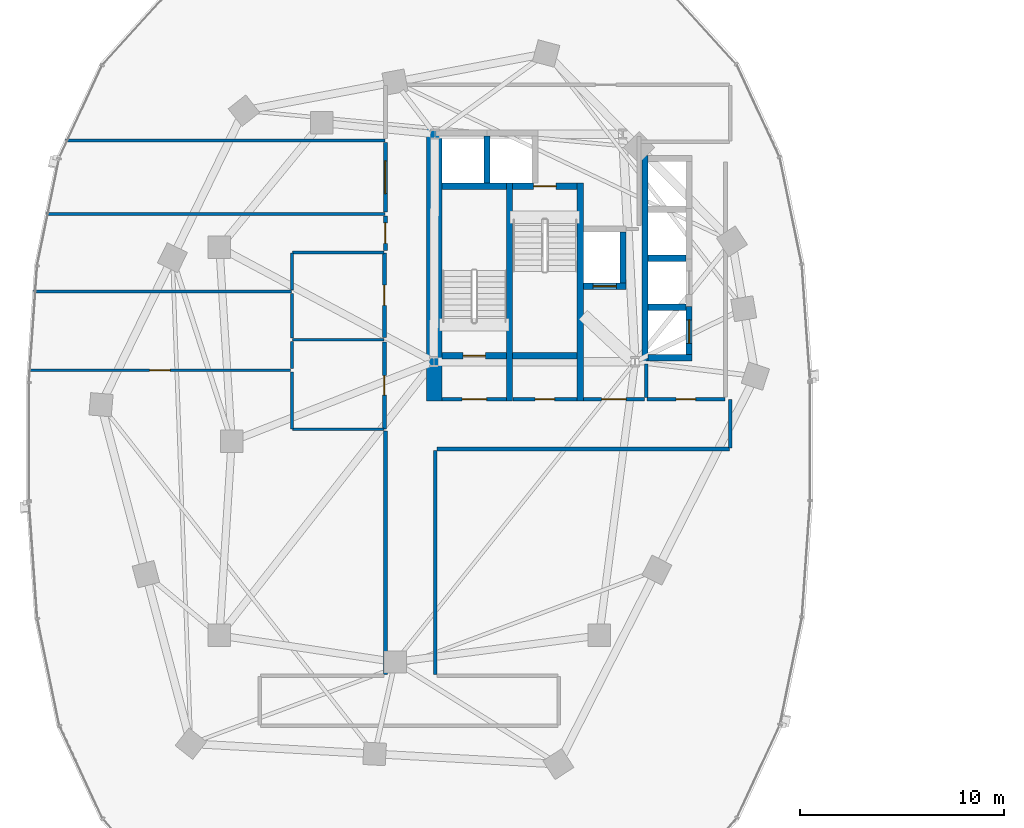
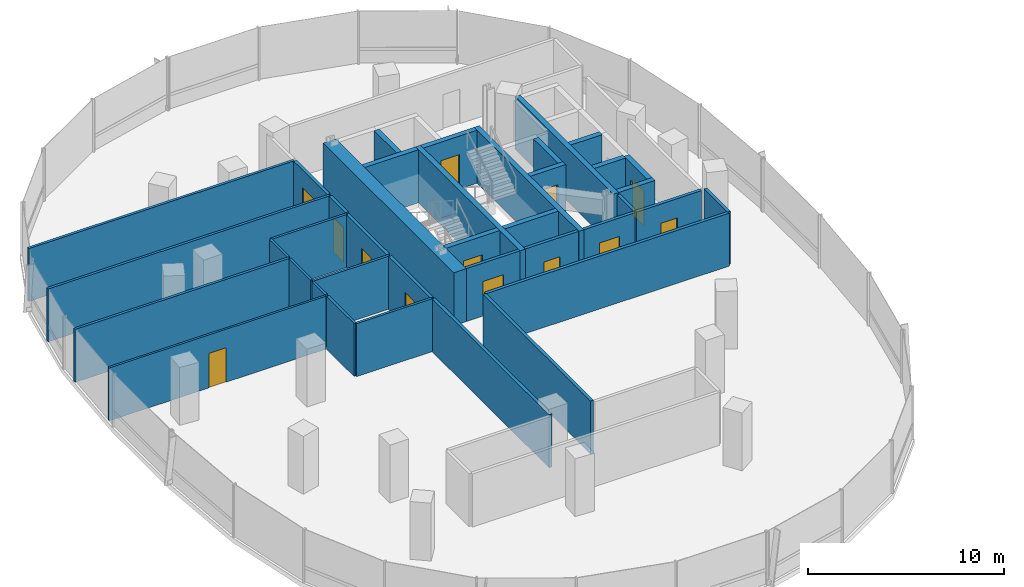
# One storey, part 11 of 21: 39 walls, 13 doors, 13 openings.
"""IFC4 building model written with IfcOpenShell, lengths in metres."""

import ifcopenshell
import ifcopenshell.guid

model = None  # the IFC model being written
_history = None  # IfcOwnerHistory: only IFC2X3 demands one
_inside = {}  # id of a spatial element -> (the spatial element, [elements in it])
_under = {}  # id of a project, library or spatial element -> (it, [spatial elements below it])
_declared = {}  # id of a project -> (the project, [libraries it declares])
_typed = {}  # id of a type object -> (the type object, [elements of that type])
_made_of = {}  # id of a material, layer set ... -> (it, [elements and type objects made of it])


def new_model(schema):
    """Start an empty IFC model of exactly this schema.

    Asked for "IFC4X3", IfcOpenShell would pick the latest addendum, in which some entities
    have other attributes; the version numbers below select the first issue.
    IFC2X3 requires an IfcOwnerHistory on every rooted entity: one is made here for all.
    """
    global model, _history
    if schema == "IFC4X3":
        model = ifcopenshell.file(schema_version=(4, 3, 0, 0))
    else:
        model = ifcopenshell.file(schema=schema)
    _inside.clear()
    _under.clear()
    _declared.clear()
    _typed.clear()
    _made_of.clear()
    _history = None
    if model.schema == "IFC2X3":
        org = make("IfcOrganization", Name="unknown")
        user = make(
            "IfcPersonAndOrganization",
            ThePerson=make("IfcPerson", FamilyName="unknown"),
            TheOrganization=org,
        )
        app = make(
            "IfcApplication",
            ApplicationDeveloper=org,
            Version="unknown",
            ApplicationFullName="unknown",
            ApplicationIdentifier="unknown",
        )
        _history = make(
            "IfcOwnerHistory",
            OwningUser=user,
            OwningApplication=app,
            ChangeAction="ADDED",
            CreationDate=0,
        )
    return model


def make(cls, **values):
    """One entity of the class cls with the attributes given. An attribute that is None is left unset."""
    return model.create_entity(
        cls, **{name: value for name, value in values.items() if value is not None}
    )


def rooted(cls, **values):
    """An entity with a GlobalId (a new one), such as an element, a storey or a relation."""
    return make(cls, GlobalId=ifcopenshell.guid.new(), OwnerHistory=_history, **values)


def si_unit(unit_type, name, prefix=None):
    """IfcSIUnit, for example si_unit("LENGTHUNIT", "METRE", prefix="MILLI")."""
    return make("IfcSIUnit", UnitType=unit_type, Prefix=prefix, Name=name)


def assignment(units):
    """IfcUnitAssignment: the units of a project."""
    return None if units is None else make("IfcUnitAssignment", Units=units)


def point(xyz):
    """IfcCartesianPoint."""
    return None if xyz is None else make("IfcCartesianPoint", Coordinates=xyz)


def direction(xyz):
    """IfcDirection."""
    return None if xyz is None else make("IfcDirection", DirectionRatios=xyz)


def frame(location, z_axis=None, x_axis=None):
    """IfcAxis2Placement3D, a coordinate frame: its origin and axes. An axis left out is left unset."""
    return make(
        "IfcAxis2Placement3D",
        Location=point(location),
        Axis=direction(z_axis),
        RefDirection=direction(x_axis),
    )


def frame_2d(location, x_axis=None):
    """IfcAxis2Placement2D, a coordinate frame in the plane: its origin and x axis."""
    return make(
        "IfcAxis2Placement2D", Location=point(location), RefDirection=direction(x_axis)
    )


def origin():
    """The frame at (0, 0, 0) with its axes left unset."""
    return frame((0.0, 0.0, 0.0))


def place(relative_to, where):
    """IfcLocalPlacement: puts the frame where relative to a parent placement (None: the world)."""
    return make(
        "IfcLocalPlacement", PlacementRelTo=relative_to, RelativePlacement=where
    )


def context(
    kind, dimensions, precision=None, world=None, true_north=None, identifier=None
):
    """IfcGeometricRepresentationContext, for example the 3D "Model" context."""
    return make(
        "IfcGeometricRepresentationContext",
        ContextIdentifier=identifier,
        ContextType=kind,
        CoordinateSpaceDimension=dimensions,
        Precision=precision,
        WorldCoordinateSystem=world,
        TrueNorth=true_north,
    )


def subcontext(parent, identifier, kind, view, scale=None):
    """IfcGeometricRepresentationSubContext, for example "Body" below "Model"."""
    return make(
        "IfcGeometricRepresentationSubContext",
        ContextIdentifier=identifier,
        ContextType=kind,
        ParentContext=parent,
        TargetScale=scale,
        TargetView=view,
    )


def project(units=None, contexts=None):
    """IfcProject with its units and contexts."""
    return rooted(
        "IfcProject",
        Name="project",
        RepresentationContexts=contexts,
        UnitsInContext=assignment(units),
    )


def spatial(cls, under=None, at=None, **own):
    """A site, building, storey or space (cls), placed at a placement, below another one or the project."""
    s = rooted(cls, ObjectPlacement=at, **own)
    if under is not None:
        _under.setdefault(under.id(), (under, []))[1].append(s)
    return s


def profile(cls, at=None, kind="AREA", **sizes):
    """A parametric profile (cls). Its sizes go by their IFC names, for example OverallWidth=200.0."""
    return make(cls, ProfileType=kind, Position=at, **sizes)


def rectangle(**sizes):
    """IfcRectangleProfileDef."""
    return profile("IfcRectangleProfileDef", **sizes)


def extrude(swept, where, along, depth):
    """IfcExtrudedAreaSolid: the profile swept, set in the frame where, extruded along a direction by depth."""
    return make(
        "IfcExtrudedAreaSolid",
        SweptArea=swept,
        Position=where,
        ExtrudedDirection=direction(along),
        Depth=depth,
    )


def shape(context_of_items, identifier, shape_type, items):
    """IfcShapeRepresentation: the items that make up one representation, for example the "Body"."""
    return make(
        "IfcShapeRepresentation",
        ContextOfItems=context_of_items,
        RepresentationIdentifier=identifier,
        RepresentationType=shape_type,
        Items=items,
    )


def material(Name=None, Category=None):
    """IfcMaterial."""
    return make("IfcMaterial", Name=Name, Category=Category)


def layer(
    of_material, thickness, ventilated=None, Name=None, Category=None, Priority=None
):
    """IfcMaterialLayer: one layer of a wall or slab, of a material (None: an air gap)."""
    return make(
        "IfcMaterialLayer",
        Material=of_material,
        LayerThickness=thickness,
        IsVentilated=ventilated,
        Name=Name,
        Category=Category,
        Priority=Priority,
    )


def layer_set(layers, Name=None):
    """IfcMaterialLayerSet."""
    return make("IfcMaterialLayerSet", MaterialLayers=layers, LayerSetName=Name)


def made_of(thing, what):
    """Note that an element or type object is made of a material, layer set ...; save() writes the relation."""
    if what is not None:
        _made_of.setdefault(what.id(), (what, []))[1].append(thing)
    return thing


def type_object(cls, material=None, **own):
    """A type object (cls), such as IfcWallType, which elements share."""
    return made_of(rooted(cls, **own), material)


def element(
    cls,
    number,
    at=None,
    inside=None,
    cuts=None,
    type_object=None,
    material=None,
    context=None,
    identifier="Body",
    shape_type=None,
    held_by="IfcProductDefinitionShape",
    body=None,
    shapes=None,
    **own,
):
    """One element of the class cls, such as IfcWall. Its Tag is "e" and its number.

    at: its placement. inside: the storey or other place that contains it. cuts: it is an
    opening in that element (IfcRelVoidsElement). A single representation is given by context,
    identifier, shape_type and body (its items); several are given by shapes. held_by: the class
    of the entity that holds the representations. save() writes the other relations.
    """
    e = rooted(cls, Tag="e%d" % number, ObjectPlacement=at, **own)
    if body is not None:
        shapes = [shape(context, identifier, shape_type, body)]
    if shapes is not None:
        e.Representation = make(held_by, Representations=shapes)
    if inside is not None:
        _inside.setdefault(inside.id(), (inside, []))[1].append(e)
    if cuts is not None:
        rooted(
            "IfcRelVoidsElement", RelatingBuildingElement=cuts, RelatedOpeningElement=e
        )
    if type_object is not None:
        _typed.setdefault(type_object.id(), (type_object, []))[1].append(e)
    return made_of(e, material)


def fill(opening, filler):
    """IfcRelFillsElement: the door or window that sits in an opening."""
    return rooted(
        "IfcRelFillsElement",
        RelatingOpeningElement=opening,
        RelatedBuildingElement=filler,
    )


def aggregate(whole, parts):
    """IfcRelAggregates: a whole, such as a stair, and the parts it consists of."""
    return rooted("IfcRelAggregates", RelatingObject=whole, RelatedObjects=parts)


def save(model, path):
    """Write the relations noted so far, then the file.

    IfcRelAggregates (storeys below a building ...), IfcRelContainedInSpatialStructure (elements
    in a storey), IfcRelDefinesByType, IfcRelAssociatesMaterial and IfcRelDeclares: one each for
    every whole, place, type object, material and project.
    """
    for whole, parts in _under.values():
        aggregate(whole, parts)
    for where, things in _inside.values():
        rooted(
            "IfcRelContainedInSpatialStructure",
            RelatedElements=things,
            RelatingStructure=where,
        )
    for kind, things in _typed.values():
        rooted("IfcRelDefinesByType", RelatedObjects=things, RelatingType=kind)
    for what, things in _made_of.values():
        rooted("IfcRelAssociatesMaterial", RelatedObjects=things, RelatingMaterial=what)
    for by, libraries in _declared.values():
        rooted("IfcRelDeclares", RelatingContext=by, RelatedDefinitions=libraries)
    model.write(path)


model = new_model("IFC4")

# Units and contexts
model_context = context("Model", 3, precision=1e-05, world=origin(), true_north=direction((0.0, 1.0)))
body_context = subcontext(model_context, "Body", "Model", "MODEL_VIEW")
ifc_project = project(units=[si_unit("LENGTHUNIT", "METRE"), si_unit("AREAUNIT", "SQUARE_METRE"), si_unit("VOLUMEUNIT", "CUBIC_METRE"), si_unit("PLANEANGLEUNIT", "RADIAN"), si_unit("MASSUNIT", "GRAM", prefix="KILO"), si_unit("THERMODYNAMICTEMPERATUREUNIT", "KELVIN"), si_unit("POWERUNIT", "WATT")], contexts=[model_context])

# Site, building, storey
site_placement = place(None, origin())
site = spatial("IfcSite", under=ifc_project, at=site_placement, CompositionType="ELEMENT")
building_placement = place(site_placement, origin())
building = spatial("IfcBuilding", under=site, at=building_placement, Name="Cundina Bronze Exchange", CompositionType="ELEMENT")
storey_placement = place(building_placement, frame((0.0, 0.0, 89.0)))
storey = spatial("IfcBuildingStorey", under=building, at=storey_placement, Name="L22", CompositionType="ELEMENT", Elevation=89.0)

# Wall
ifc_material_1 = material(Name="Gypsum Fireboard Partition EI120")
ifc_layer_1 = layer(ifc_material_1, 0.179931640625, Name="Gypsum Fireboard Partition EI120")
ifc_layer_set_1 = layer_set([ifc_layer_1], Name="Gypsum Fireboard Partition EI120")
wall_type_1 = type_object("IfcWallType", Name="WL-COR-180", PredefinedType="PARTITIONING", material=ifc_layer_set_1)
wall_1_placement = place(storey_placement, frame((-20.889892578125, 2.14990234375, 0.0), z_axis=(0.0, 0.0, 1.0), x_axis=(0.0, 1.0, 0.0)))
element("IfcWall", 1, at=wall_1_placement, inside=storey, type_object=wall_type_1, Name="L22 W Firefighting Lobby Side Wall", PredefinedType="PARTITIONING", context=body_context, shape_type="SweptSolid", body=[
    extrude(rectangle(XDim=1.650146484375, YDim=0.179931640625, at=frame_2d((0.8251953125, 0.0))), origin(), (0.0, 0.0, 1.0), 3.300048828125),
])

# Wall, opening, door
wall_2_placement = place(storey_placement, frame((-23.97998046875, 2.06005859375, 0.0), z_axis=(0.0, 0.0, 1.0), x_axis=(1.0, 0.0, 0.0)))
wall_2 = element("IfcWall", 2, at=wall_2_placement, inside=storey, type_object=wall_type_1, Name="L22 W Firefighting Lobby Exit Wall", PredefinedType="PARTITIONING", context=body_context, shape_type="SweptSolid", body=[
    extrude(rectangle(XDim=3.0, YDim=0.179931640625, at=frame_2d((1.5, 0.0))), origin(), (0.0, 0.0, 1.0), 3.300048828125),
])
opening_1_placement = place(wall_2_placement, frame((0.89990234375, 0.0, 0.0)))
opening_1 = element("IfcOpeningElement", 3, at=opening_1_placement, cuts=wall_2, Name="Opening DF-01", PredefinedType="OPENING", context=body_context, shape_type="SweptSolid", body=[
    extrude(rectangle(XDim=1.199951171875, YDim=2.14990234375, at=frame_2d((0.60009765625, 1.074951171875))), frame((0.0, 0.099853515625, 0.0), z_axis=(0.0, -1.0, 0.0), x_axis=(1.0, 0.0, 0.0)), (0.0, 0.0, 1.0), 0.199951171875),
])
ifc_material_2 = material(Name="Steel ASTM A36 Painted", Category="steel")
door_type_1 = type_object("IfcDoorType", Name="DR-FFL-1200", OperationType="NOTDEFINED", PredefinedType="DOOR", material=ifc_material_2)
door_1_placement = place(opening_1_placement, origin())
door_1 = element("IfcDoor", 4, at=door_1_placement, inside=storey, type_object=door_type_1, Name="L22 W Firefighting Lobby Door", OperationType="SINGLE_SWING_RIGHT", OverallHeight=2.14990234375, OverallWidth=1.199951171875, PredefinedType="DOOR", context=body_context, shape_type="SweptSolid", body=[
    extrude(rectangle(XDim=1.199951171875, YDim=2.14990234375, at=frame_2d((0.60009765625, 1.074951171875))), frame((0.0, 0.02490234375, 0.0), z_axis=(0.0, -1.0, 0.0), x_axis=(1.0, 0.0, 0.0)), (0.0, 0.0, 1.0), 0.050048828125),
])
fill(opening_1, door_1)

wall_3_placement = place(storey_placement, frame((-30.89990234375, 2.06005859375, 0.0), z_axis=(0.0, 0.0, 1.0), x_axis=(1.0, 0.0, 0.0)))
wall_3 = element("IfcWall", 5, at=wall_3_placement, inside=storey, type_object=wall_type_1, Name="L22 W Stair Vestibule Exit Wall", PredefinedType="PARTITIONING", context=body_context, shape_type="SweptSolid", body=[
    extrude(rectangle(XDim=3.159912109375, YDim=0.179931640625, at=frame_2d((1.580078125, 0.0))), origin(), (0.0, 0.0, 1.0), 3.300048828125),
])
opening_2_placement = place(wall_3_placement, frame((0.97998046875, 0.0, 0.0)))
opening_2 = element("IfcOpeningElement", 6, at=opening_2_placement, cuts=wall_3, Name="Opening DF-01", PredefinedType="OPENING", context=body_context, shape_type="SweptSolid", body=[
    extrude(rectangle(XDim=1.199951171875, YDim=2.14990234375, at=frame_2d((0.60009765625, 1.074951171875))), frame((0.0, 0.099853515625, 0.0), z_axis=(0.0, -1.0, 0.0), x_axis=(1.0, 0.0, 0.0)), (0.0, 0.0, 1.0), 0.199951171875),
])
door_2_placement = place(opening_2_placement, origin())
door_2 = element("IfcDoor", 7, at=door_2_placement, inside=storey, type_object=door_type_1, Name="L22 W Stair Vestibule Door", OperationType="SINGLE_SWING_LEFT", OverallHeight=2.14990234375, OverallWidth=1.199951171875, PredefinedType="DOOR", context=body_context, shape_type="SweptSolid", body=[
    extrude(rectangle(XDim=1.199951171875, YDim=2.14990234375, at=frame_2d((0.60009765625, 1.074951171875))), frame((0.0, 0.02490234375, 0.0), z_axis=(0.0, -1.0, 0.0), x_axis=(1.0, 0.0, 0.0)), (0.0, 0.0, 1.0), 0.050048828125),
])
fill(opening_2, door_2)

wall_4_placement = place(storey_placement, frame((-20.8701171875, 2.070068359375, 0.0), z_axis=(0.0, 0.0, 1.0), x_axis=(1.0, 0.0, 0.0)))
wall_4 = element("IfcWall", 8, at=wall_4_placement, inside=storey, type_object=wall_type_1, Name="L22 Interior Partition 002", PredefinedType="PARTITIONING", context=body_context, shape_type="SweptSolid", body=[
    extrude(rectangle(XDim=3.830078125, YDim=0.179931640625, at=frame_2d((1.9150390625, 0.0))), origin(), (0.0, 0.0, 1.0), 3.300048828125),
])
opening_3_placement = place(wall_4_placement, frame((1.43994140625, 0.0, 0.0)))
opening_3 = element("IfcOpeningElement", 9, at=opening_3_placement, cuts=wall_4, Name="Opening DW-01", PredefinedType="OPENING", context=body_context, shape_type="SweptSolid", body=[
    extrude(rectangle(XDim=0.949951171875, YDim=2.10009765625, at=frame_2d((0.47509765625, 1.050048828125))), frame((0.0, 0.099853515625, 0.0), z_axis=(0.0, -1.0, 0.0), x_axis=(1.0, 0.0, 0.0)), (0.0, 0.0, 1.0), 0.199951171875),
])
ifc_material_3 = material(Name="Solid Andean Oak Timber Grade A", Category="wood")
door_type_2 = type_object("IfcDoorType", Name="DR-WC-950", OperationType="NOTDEFINED", PredefinedType="DOOR", material=ifc_material_3)
door_3_placement = place(opening_3_placement, origin())
door_3 = element("IfcDoor", 10, at=door_3_placement, inside=storey, type_object=door_type_2, Name="L22 Interior Door 002", OperationType="SINGLE_SWING_LEFT", OverallHeight=2.10009765625, OverallWidth=0.949951171875, PredefinedType="DOOR", context=body_context, shape_type="SweptSolid", body=[
    extrude(rectangle(XDim=0.949951171875, YDim=2.10009765625, at=frame_2d((0.47509765625, 1.050048828125))), frame((0.0, 0.02490234375, 0.0), z_axis=(0.0, -1.0, 0.0), x_axis=(1.0, 0.0, 0.0)), (0.0, 0.0, 1.0), 0.050048828125),
])
fill(opening_3, door_3)

wall_5_placement = place(storey_placement, frame((-27.419921875, 2.070068359375, 0.0), z_axis=(0.0, 0.0, 1.0), x_axis=(1.0, 0.0, 0.0)))
wall_5 = element("IfcWall", 11, at=wall_5_placement, inside=storey, type_object=wall_type_1, Name="L22 Interior Partition 005", PredefinedType="PARTITIONING", context=body_context, shape_type="SweptSolid", body=[
    extrude(rectangle(XDim=3.119873046875, YDim=0.179931640625, at=frame_2d((1.56005859375, 0.0))), origin(), (0.0, 0.0, 1.0), 3.300048828125),
])
opening_4_placement = place(wall_5_placement, frame((1.0849609375, 0.0, 0.0)))
opening_4 = element("IfcOpeningElement", 12, at=opening_4_placement, cuts=wall_5, Name="Opening DW-01", PredefinedType="OPENING", context=body_context, shape_type="SweptSolid", body=[
    extrude(rectangle(XDim=0.949951171875, YDim=2.10009765625, at=frame_2d((0.47509765625, 1.050048828125))), frame((0.0, 0.099853515625, 0.0), z_axis=(0.0, -1.0, 0.0), x_axis=(1.0, 0.0, 0.0)), (0.0, 0.0, 1.0), 0.199951171875),
])
door_4_placement = place(opening_4_placement, origin())
door_4 = element("IfcDoor", 13, at=door_4_placement, inside=storey, type_object=door_type_2, Name="L22 Interior Door 005", OperationType="SINGLE_SWING_LEFT", OverallHeight=2.10009765625, OverallWidth=0.949951171875, PredefinedType="DOOR", context=body_context, shape_type="SweptSolid", body=[
    extrude(rectangle(XDim=0.949951171875, YDim=2.10009765625, at=frame_2d((0.47509765625, 1.050048828125))), frame((0.0, 0.02490234375, 0.0), z_axis=(0.0, -1.0, 0.0), x_axis=(1.0, 0.0, 0.0)), (0.0, 0.0, 1.0), 0.050048828125),
])
fill(opening_4, door_4)

wall_6_placement = place(storey_placement, frame((-33.719970703125, 0.6201171875, 0.0), z_axis=(0.0, 0.0, 1.0), x_axis=(0.0, 1.0, 0.0)))
wall_6 = element("IfcWall", 14, at=wall_6_placement, inside=storey, type_object=wall_type_1, Name="L22 Interior Partition 013", PredefinedType="PARTITIONING", context=body_context, shape_type="SweptSolid", body=[
    extrude(rectangle(XDim=4.259765625, YDim=0.179931640625, at=frame_2d((2.1298828125, 0.0))), origin(), (0.0, 0.0, 1.0), 3.300048828125),
])
opening_5_placement = place(wall_6_placement, frame((1.655029296875, 0.0, 0.0)))
opening_5 = element("IfcOpeningElement", 15, at=opening_5_placement, cuts=wall_6, Name="Opening DW-01", PredefinedType="OPENING", context=body_context, shape_type="SweptSolid", body=[
    extrude(rectangle(XDim=0.949951171875, YDim=2.10009765625, at=frame_2d((0.47509765625, 1.050048828125))), frame((0.0, 0.099853515625, 0.0), z_axis=(0.0, -1.0, 0.0), x_axis=(1.0, 0.0, 0.0)), (0.0, 0.0, 1.0), 0.199951171875),
])
door_5_placement = place(opening_5_placement, origin())
door_5 = element("IfcDoor", 16, at=door_5_placement, inside=storey, type_object=door_type_2, Name="L22 Interior Door 013", OperationType="SINGLE_SWING_LEFT", OverallHeight=2.10009765625, OverallWidth=0.949951171875, PredefinedType="DOOR", context=body_context, shape_type="SweptSolid", body=[
    extrude(rectangle(XDim=0.949951171875, YDim=2.10009765625, at=frame_2d((0.47509765625, 1.050048828125))), frame((0.0, 0.02490234375, 0.0), z_axis=(0.0, -1.0, 0.0), x_axis=(1.0, 0.0, 0.0)), (0.0, 0.0, 1.0), 0.050048828125),
])
fill(opening_5, door_5)

wall_7_placement = place(storey_placement, frame((-33.719970703125, 5.080078125, 0.0), z_axis=(0.0, 0.0, 1.0), x_axis=(0.0, 1.0, 0.0)))
wall_7 = element("IfcWall", 17, at=wall_7_placement, inside=storey, type_object=wall_type_1, Name="L22 Interior Partition 014", PredefinedType="PARTITIONING", context=body_context, shape_type="SweptSolid", body=[
    extrude(rectangle(XDim=4.159912109375, YDim=0.179931640625, at=frame_2d((2.080078125, 0.0))), origin(), (0.0, 0.0, 1.0), 3.300048828125),
])
opening_6_placement = place(wall_7_placement, frame((1.580078125, 0.0, 0.0)))
opening_6 = element("IfcOpeningElement", 18, at=opening_6_placement, cuts=wall_7, Name="Opening DO-01", PredefinedType="OPENING", context=body_context, shape_type="SweptSolid", body=[
    extrude(rectangle(XDim=1.0, YDim=2.14990234375, at=frame_2d((0.5, 1.074951171875))), frame((0.0, 0.099853515625, 0.0), z_axis=(0.0, -1.0, 0.0), x_axis=(1.0, 0.0, 0.0)), (0.0, 0.0, 1.0), 0.199951171875),
])
door_type_3 = type_object("IfcDoorType", Name="DR-OFF-1000", OperationType="NOTDEFINED", PredefinedType="DOOR", material=ifc_material_3)
door_6_placement = place(opening_6_placement, origin())
door_6 = element("IfcDoor", 19, at=door_6_placement, inside=storey, type_object=door_type_3, Name="L22 Interior Door 014", OperationType="SINGLE_SWING_LEFT", OverallHeight=2.14990234375, OverallWidth=1.0, PredefinedType="DOOR", context=body_context, shape_type="SweptSolid", body=[
    extrude(rectangle(XDim=1.0, YDim=2.14990234375, at=frame_2d((0.5, 1.074951171875))), frame((0.0, 0.02490234375, 0.0), z_axis=(0.0, -1.0, 0.0), x_axis=(1.0, 0.0, 0.0)), (0.0, 0.0, 1.0), 0.050048828125),
])
fill(opening_6, door_6)

# Walls
wall_8_placement = place(storey_placement, frame((-31.14990234375, -0.3701171875, 0.0), z_axis=(0.0, 0.0, 1.0), x_axis=(1.0, 0.0, 0.0)))
element("IfcWall", 20, at=wall_8_placement, inside=storey, type_object=wall_type_1, Name="L22 Interior Partition 020", PredefinedType="PARTITIONING", context=body_context, shape_type="SweptSolid", body=[
    extrude(rectangle(XDim=14.328369140625, YDim=0.179931640625, at=frame_2d((7.1640625, 0.0))), origin(), (0.0, 0.0, 1.0), 3.300048828125),
])
wall_9_placement = place(storey_placement, frame((-33.669921875, 0.508544921875, 0.0), z_axis=(0.0, 0.0, 1.0), x_axis=(0.0, -1.0, 0.0)))
element("IfcWall", 21, at=wall_9_placement, inside=storey, type_object=wall_type_1, Name="L22 Interior Partition 021", PredefinedType="PARTITIONING", context=body_context, shape_type="SweptSolid", body=[
    extrude(rectangle(XDim=11.908447265625, YDim=0.179931640625, at=frame_2d((5.9541015625, 0.0))), origin(), (0.0, 0.0, 1.0), 3.300048828125),
])
wall_10_placement = place(storey_placement, frame((-31.22998046875, -11.39990234375, 0.0), z_axis=(0.0, 0.0, 1.0), x_axis=(0.0, 1.0, 0.0)))
element("IfcWall", 22, at=wall_10_placement, inside=storey, type_object=wall_type_1, Name="L22 Interior Partition 022", PredefinedType="PARTITIONING", context=body_context, shape_type="SweptSolid", body=[
    extrude(rectangle(XDim=10.949951171875, YDim=0.179931640625, at=frame_2d((5.47509765625, 0.0))), origin(), (0.0, 0.0, 1.0), 3.300048828125),
])
wall_11_placement = place(storey_placement, frame((-16.780029296875, -0.32861328125, 0.0), z_axis=(0.0, 0.0, 1.0), x_axis=(0.0, 1.0, 0.0)))
element("IfcWall", 23, at=wall_11_placement, inside=storey, type_object=wall_type_1, Name="L22 Interior Partition 028", PredefinedType="PARTITIONING", context=body_context, shape_type="SweptSolid", body=[
    extrude(rectangle(XDim=2.38720703125, YDim=0.179931640625, at=frame_2d((1.193603515625, 0.0))), origin(), (0.0, 0.0, 1.0), 3.300048828125),
])

# Wall, opening, door
wall_12_placement = place(storey_placement, frame((-33.669921875, 11.050048828125, 0.0), z_axis=(0.0, 0.0, 1.0), x_axis=(0.0, -1.0, 0.0)))
wall_12 = element("IfcWall", 24, at=wall_12_placement, inside=storey, type_object=wall_type_1, Name="L22 Interior Partition 031", PredefinedType="PARTITIONING", context=body_context, shape_type="SweptSolid", body=[
    extrude(rectangle(XDim=1.69873046875, YDim=0.179931640625, at=frame_2d((0.849365234375, 0.0))), origin(), (0.0, 0.0, 1.0), 3.300048828125),
])
opening_7_placement = place(wall_12_placement, frame((0.349365234375, 0.0, 0.0)))
opening_7 = element("IfcOpeningElement", 25, at=opening_7_placement, cuts=wall_12, Name="Opening DO-01", PredefinedType="OPENING", context=body_context, shape_type="SweptSolid", body=[
    extrude(rectangle(XDim=1.0, YDim=2.14990234375, at=frame_2d((0.5, 1.074951171875))), frame((0.0, 0.099853515625, 0.0), z_axis=(0.0, -1.0, 0.0), x_axis=(1.0, 0.0, 0.0)), (0.0, 0.0, 1.0), 0.199951171875),
])
door_7_placement = place(opening_7_placement, origin())
door_7 = element("IfcDoor", 26, at=door_7_placement, inside=storey, type_object=door_type_3, Name="L22 Interior Door 031", OperationType="SINGLE_SWING_LEFT", OverallHeight=2.14990234375, OverallWidth=1.0, PredefinedType="DOOR", context=body_context, shape_type="SweptSolid", body=[
    extrude(rectangle(XDim=1.0, YDim=2.14990234375, at=frame_2d((0.5, 1.074951171875))), frame((0.0, 0.02490234375, 0.0), z_axis=(0.0, -1.0, 0.0), x_axis=(1.0, 0.0, 0.0)), (0.0, 0.0, 1.0), 0.050048828125),
])
fill(opening_7, door_7)

wall_13_placement = place(storey_placement, frame((-33.669921875, 14.64990234375, 0.0), z_axis=(0.0, 0.0, 1.0), x_axis=(0.0, -1.0, 0.0)))
wall_13 = element("IfcWall", 27, at=wall_13_placement, inside=storey, type_object=wall_type_1, Name="L22 Interior Partition 032", PredefinedType="PARTITIONING", context=body_context, shape_type="SweptSolid", body=[
    extrude(rectangle(XDim=3.419921875, YDim=0.179931640625, at=frame_2d((1.7099609375, 0.0))), origin(), (0.0, 0.0, 1.0), 3.300048828125),
])
opening_8_placement = place(wall_13_placement, frame((0.909912109375, 0.0, 0.0)))
opening_8 = element("IfcOpeningElement", 28, at=opening_8_placement, cuts=wall_13, Name="Opening DO-02", PredefinedType="OPENING", context=body_context, shape_type="SweptSolid", body=[
    extrude(rectangle(XDim=1.60009765625, YDim=2.199951171875, at=frame_2d((0.800048828125, 1.10009765625))), frame((0.0, 0.099853515625, 0.0), z_axis=(0.0, -1.0, 0.0), x_axis=(1.0, 0.0, 0.0)), (0.0, 0.0, 1.0), 0.199951171875),
])
door_type_4 = type_object("IfcDoorType", Name="DR-TRD-1600", OperationType="NOTDEFINED", PredefinedType="DOOR", material=ifc_material_3)
door_8_placement = place(opening_8_placement, origin())
door_8 = element("IfcDoor", 29, at=door_8_placement, inside=storey, type_object=door_type_4, Name="L22 Interior Door 032", OperationType="SINGLE_SWING_LEFT", OverallHeight=2.199951171875, OverallWidth=1.60009765625, PredefinedType="DOOR", context=body_context, shape_type="SweptSolid", body=[
    extrude(rectangle(XDim=1.60009765625, YDim=2.199951171875, at=frame_2d((0.800048828125, 1.10009765625))), frame((0.0, 0.02490234375, 0.0), z_axis=(0.0, -1.0, 0.0), x_axis=(1.0, 0.0, 0.0)), (0.0, 0.0, 1.0), 0.050048828125),
])
fill(opening_8, door_8)

# Wall
ifc_material_4 = material(Name="Concrete C60/75", Category="concrete")
ifc_layer_2 = layer(ifc_material_4, 0.75, Name="Concrete C60/75", Category="concrete")
ifc_layer_set_2 = layer_set([ifc_layer_2], Name="Concrete C60/75")
wall_type_2 = type_object("IfcWallType", Name="WL-CORE-750", PredefinedType="SHEAR", material=ifc_layer_set_2)
wall_14_placement = place(storey_placement, frame((-31.27490234375, 1.969970703125, 0.0), z_axis=(0.0, 0.0, 1.0), x_axis=(0.0, 1.0, 0.0)))
element("IfcWall", 30, at=wall_14_placement, inside=storey, type_object=wall_type_2, Name="L22 W Primary Core Shear Spine Wall", PredefinedType="SHEAR", context=body_context, shape_type="SweptSolid", body=[
    extrude(rectangle(XDim=13.330078125, YDim=0.75, at=frame_2d((6.6650390625, 0.0))), origin(), (0.0, 0.0, 1.0), 3.300048828125),
])

# Wall, opening, door
ifc_material_5 = material(Name="Gypsum Acoustic Partition EI60")
ifc_layer_3 = layer(ifc_material_5, 0.125, Name="Gypsum Acoustic Partition EI60")
ifc_layer_set_3 = layer_set([ifc_layer_3], Name="Gypsum Acoustic Partition EI60")
wall_type_3 = type_object("IfcWallType", Name="WL-OFF-125", PredefinedType="PARTITIONING", material=ifc_layer_set_3)
wall_15_placement = place(storey_placement, frame((-38.320068359375, 3.489990234375, 0.0), z_axis=(0.0, 0.0, 1.0), x_axis=(-1.0, 0.0, 0.0)))
wall_15 = element("IfcWall", 31, at=wall_15_placement, inside=storey, type_object=wall_type_3, Name="L22 Interior Partition 033", PredefinedType="PARTITIONING", context=body_context, shape_type="SweptSolid", body=[
    extrude(rectangle(XDim=12.7900390625, YDim=0.125, at=frame_2d((6.39501953125, 0.0))), origin(), (0.0, 0.0, 1.0), 3.300048828125),
])
opening_9_placement = place(wall_15_placement, frame((5.89501953125, 0.0, 0.0)))
opening_9 = element("IfcOpeningElement", 32, at=opening_9_placement, cuts=wall_15, Name="Opening DO-01", PredefinedType="OPENING", context=body_context, shape_type="SweptSolid", body=[
    extrude(rectangle(XDim=1.0, YDim=2.14990234375, at=frame_2d((0.5, 1.074951171875))), frame((0.0, 0.072509765625, 0.0), z_axis=(0.0, -1.0, 0.0), x_axis=(1.0, 0.0, 0.0)), (0.0, 0.0, 1.0), 0.14501953125),
])
door_9_placement = place(opening_9_placement, origin())
door_9 = element("IfcDoor", 33, at=door_9_placement, inside=storey, type_object=door_type_3, Name="L22 Interior Door 033", OperationType="SINGLE_SWING_LEFT", OverallHeight=2.14990234375, OverallWidth=1.0, PredefinedType="DOOR", context=body_context, shape_type="SweptSolid", body=[
    extrude(rectangle(XDim=1.0, YDim=2.14990234375, at=frame_2d((0.5, 1.074951171875))), frame((0.0, 0.02490234375, 0.0), z_axis=(0.0, -1.0, 0.0), x_axis=(1.0, 0.0, 0.0)), (0.0, 0.0, 1.0), 0.050048828125),
])
fill(opening_9, door_9)

# Walls
ifc_material_6 = material(Name="Concrete C50/60", Category="concrete")
ifc_layer_4 = layer(ifc_material_6, 0.300048828125, Name="Concrete C50/60", Category="concrete")
ifc_layer_set_4 = layer_set([ifc_layer_4], Name="Concrete C50/60")
wall_type_4 = type_object("IfcWallType", Name="WL-SHFT-300", PredefinedType="SHEAR", material=ifc_layer_set_4)
for number, where, z_axis, x_axis, name in (
    (34, (-27.590087890625, 1.969970703125, 0.0), (0.0, 0.0, 1.0), (0.0, 1.0, 0.0), "L22 W Stair Shaft Dividing Shear Wall"),
    (35, (-24.1298828125, 1.969970703125, 0.0), (0.0, 0.0, 1.0), (0.0, 1.0, 0.0), "L22 W Stair 2 East Shear Wall"),
):
    element("IfcWall", number, at=place(storey_placement, frame(where, z_axis=z_axis, x_axis=x_axis)), inside=storey, type_object=wall_type_4, Name=name, PredefinedType="SHEAR", context=body_context, shape_type="SweptSolid", body=[
        extrude(rectangle(XDim=10.679931640625, YDim=0.300048828125, at=frame_2d((5.33984375, 0.0))), origin(), (0.0, 0.0, 1.0), 3.300048828125),
    ])

# Wall, opening, door
wall_16_placement = place(storey_placement, frame((-30.89990234375, 4.199951171875, 0.0), z_axis=(0.0, 0.0, 1.0), x_axis=(1.0, 0.0, 0.0)))
wall_16 = element("IfcWall", 36, at=wall_16_placement, inside=storey, type_object=wall_type_4, Name="L22 Stair W1 Landing Wall", PredefinedType="SHEAR", context=body_context, shape_type="SweptSolid", body=[
    extrude(rectangle(XDim=3.159912109375, YDim=0.300048828125, at=frame_2d((1.580078125, 0.0))), origin(), (0.0, 0.0, 1.0), 3.300048828125),
])
opening_10_placement = place(wall_16_placement, frame((1.030029296875, 0.0, 0.0)))
opening_10 = element("IfcOpeningElement", 37, at=opening_10_placement, cuts=wall_16, Name="Opening DS-01", PredefinedType="OPENING", context=body_context, shape_type="SweptSolid", body=[
    extrude(rectangle(XDim=1.10009765625, YDim=2.14990234375, at=frame_2d((0.550048828125, 1.074951171875))), frame((0.0, 0.159912109375, 0.0), z_axis=(0.0, -1.0, 0.0), x_axis=(1.0, 0.0, 0.0)), (0.0, 0.0, 1.0), 0.320068359375),
])
door_type_5 = type_object("IfcDoorType", Name="DR-STR-1100", OperationType="NOTDEFINED", PredefinedType="DOOR", material=ifc_material_2)
door_10_placement = place(opening_10_placement, origin())
door_10 = element("IfcDoor", 38, at=door_10_placement, inside=storey, type_object=door_type_5, Name="L22 Smokeproof Stair W1 Door", OperationType="SINGLE_SWING_RIGHT", OverallHeight=2.14990234375, OverallWidth=1.10009765625, PredefinedType="DOOR", context=body_context, shape_type="SweptSolid", body=[
    extrude(rectangle(XDim=1.10009765625, YDim=2.14990234375, at=frame_2d((0.550048828125, 1.074951171875))), frame((0.0, 0.02490234375, 0.0), z_axis=(0.0, -1.0, 0.0), x_axis=(1.0, 0.0, 0.0)), (0.0, 0.0, 1.0), 0.050048828125),
])
fill(opening_10, door_10)

# Wall
wall_17_placement = place(storey_placement, frame((-30.89990234375, 12.5, 0.0), z_axis=(0.0, 0.0, 1.0), x_axis=(1.0, 0.0, 0.0)))
element("IfcWall", 39, at=wall_17_placement, inside=storey, type_object=wall_type_4, Name="L22 Stair W1 Far Shaft Wall", PredefinedType="SHEAR", context=body_context, shape_type="SweptSolid", body=[
    extrude(rectangle(XDim=3.159912109375, YDim=0.300048828125, at=frame_2d((1.580078125, 0.0))), origin(), (0.0, 0.0, 1.0), 3.300048828125),
])

# Wall, opening, door
wall_18_placement = place(storey_placement, frame((-27.43994140625, 12.5, 0.0), z_axis=(0.0, 0.0, 1.0), x_axis=(1.0, 0.0, 0.0)))
wall_18 = element("IfcWall", 40, at=wall_18_placement, inside=storey, type_object=wall_type_4, Name="L22 Stair W2 Landing Wall", PredefinedType="SHEAR", context=body_context, shape_type="SweptSolid", body=[
    extrude(rectangle(XDim=3.159912109375, YDim=0.300048828125, at=frame_2d((1.580078125, 0.0))), origin(), (0.0, 0.0, 1.0), 3.300048828125),
])
opening_11_placement = place(wall_18_placement, frame((1.030029296875, 0.0, 0.0)))
opening_11 = element("IfcOpeningElement", 41, at=opening_11_placement, cuts=wall_18, Name="Opening DS-01", PredefinedType="OPENING", context=body_context, shape_type="SweptSolid", body=[
    extrude(rectangle(XDim=1.10009765625, YDim=2.14990234375, at=frame_2d((0.550048828125, 1.074951171875))), frame((0.0, 0.159912109375, 0.0), z_axis=(0.0, -1.0, 0.0), x_axis=(1.0, 0.0, 0.0)), (0.0, 0.0, 1.0), 0.320068359375),
])
door_11_placement = place(opening_11_placement, origin())
door_11 = element("IfcDoor", 42, at=door_11_placement, inside=storey, type_object=door_type_5, Name="L22 Smokeproof Stair W2 Door", OperationType="SINGLE_SWING_LEFT", OverallHeight=2.14990234375, OverallWidth=1.10009765625, PredefinedType="DOOR", context=body_context, shape_type="SweptSolid", body=[
    extrude(rectangle(XDim=1.10009765625, YDim=2.14990234375, at=frame_2d((0.550048828125, 1.074951171875))), frame((0.0, 0.02490234375, 0.0), z_axis=(0.0, -1.0, 0.0), x_axis=(1.0, 0.0, 0.0)), (0.0, 0.0, 1.0), 0.050048828125),
])
fill(opening_11, door_11)

# Wall
wall_19_placement = place(storey_placement, frame((-27.43994140625, 4.199951171875, 0.0), z_axis=(0.0, 0.0, 1.0), x_axis=(1.0, 0.0, 0.0)))
element("IfcWall", 43, at=wall_19_placement, inside=storey, type_object=wall_type_4, Name="L22 Stair W2 Far Shaft Wall", PredefinedType="SHEAR", context=body_context, shape_type="SweptSolid", body=[
    extrude(rectangle(XDim=3.159912109375, YDim=0.300048828125, at=frame_2d((1.580078125, 0.0))), origin(), (0.0, 0.0, 1.0), 3.300048828125),
])

# Wall, opening, door
wall_20_placement = place(storey_placement, frame((-23.97998046875, 7.60009765625, 0.0), z_axis=(0.0, 0.0, 1.0), x_axis=(1.0, 0.0, 0.0)))
wall_20 = element("IfcWall", 44, at=wall_20_placement, inside=storey, type_object=wall_type_4, Name="L22 FFL-W Hoistway Front Wall", PredefinedType="SHEAR", context=body_context, shape_type="SweptSolid", body=[
    extrude(rectangle(XDim=2.10009765625, YDim=0.300048828125, at=frame_2d((1.050048828125, 0.0))), origin(), (0.0, 0.0, 1.0), 3.300048828125),
])
opening_12_placement = place(wall_20_placement, frame((0.47509765625, 0.0, 0.0)))
opening_12 = element("IfcOpeningElement", 45, at=opening_12_placement, cuts=wall_20, Name="Opening LD-01", PredefinedType="OPENING", context=body_context, shape_type="SweptSolid", body=[
    extrude(rectangle(XDim=1.14990234375, YDim=2.199951171875, at=frame_2d((0.574951171875, 1.10009765625))), frame((0.0, 0.159912109375, 0.0), z_axis=(0.0, -1.0, 0.0), x_axis=(1.0, 0.0, 0.0)), (0.0, 0.0, 1.0), 0.320068359375),
])
door_type_6 = type_object("IfcDoorType", Name="DR-LND-1150", OperationType="NOTDEFINED", PredefinedType="TRAPDOOR", material=ifc_material_2)
door_12_placement = place(opening_12_placement, origin())
door_12 = element("IfcDoor", 46, at=door_12_placement, inside=storey, type_object=door_type_6, Name="L22 FFL-W Sliding Landing Door", OperationType="SLIDING_TO_LEFT", OverallHeight=2.199951171875, OverallWidth=1.14990234375, PredefinedType="TRAPDOOR", context=body_context, shape_type="SweptSolid", body=[
    extrude(rectangle(XDim=1.14990234375, YDim=2.199951171875, at=frame_2d((0.574951171875, 1.10009765625))), frame((0.0, 0.02490234375, 0.0), z_axis=(0.0, -1.0, 0.0), x_axis=(1.0, 0.0, 0.0)), (0.0, 0.0, 1.0), 0.050048828125),
])
fill(opening_12, door_12)

# Walls
wall_21_placement = place(storey_placement, frame((-22.030029296875, 7.75, 0.0), z_axis=(0.0, 0.0, 1.0), x_axis=(0.0, 1.0, 0.0)))
element("IfcWall", 47, at=wall_21_placement, inside=storey, type_object=wall_type_4, Name="L22 FFL-W Hoistway Side Wall", PredefinedType="SHEAR", context=body_context, shape_type="SweptSolid", body=[
    extrude(rectangle(XDim=2.5, YDim=0.300048828125, at=frame_2d((1.25, 0.0))), origin(), (0.0, 0.0, 1.0), 3.300048828125),
])
wall_22_placement = place(storey_placement, frame((-28.699951171875, 12.64990234375, 0.0), z_axis=(0.0, 0.0, 1.0), x_axis=(0.0, 1.0, 0.0)))
element("IfcWall", 48, at=wall_22_placement, inside=storey, type_object=wall_type_4, Name="L22 PH-W1 Hoistway Divider Wall", PredefinedType="SHEAR", context=body_context, shape_type="SweptSolid", body=[
    extrude(rectangle(XDim=2.300048828125, YDim=0.300048828125, at=frame_2d((1.14990234375, 0.0))), origin(), (0.0, 0.0, 1.0), 3.300048828125),
])
wall_23_placement = place(storey_placement, frame((-20.949951171875, 3.949951171875, 0.0), z_axis=(0.0, 0.0, 1.0), x_axis=(0.0, 1.0, 0.0)))
element("IfcWall", 49, at=wall_23_placement, inside=storey, type_object=wall_type_4, Name="L22 W Passenger Bank Hoistway Back Wall", PredefinedType="SHEAR", context=body_context, shape_type="SweptSolid", body=[
    extrude(rectangle(XDim=10.050048828125, YDim=0.300048828125, at=frame_2d((5.02490234375, 0.0))), origin(), (0.0, 0.0, 1.0), 3.300048828125),
])
wall_24_placement = place(storey_placement, frame((-20.800048828125, 4.10009765625, 0.0), z_axis=(0.0, 0.0, 1.0), x_axis=(1.0, 0.0, 0.0)))
element("IfcWall", 50, at=wall_24_placement, inside=storey, type_object=wall_type_4, Name="L22 W Passenger Bank South Cap Wall", PredefinedType="SHEAR", context=body_context, shape_type="SweptSolid", body=[
    extrude(rectangle(XDim=2.150146484375, YDim=0.300048828125, at=frame_2d((1.0751953125, 0.0))), origin(), (0.0, 0.0, 1.0), 3.300048828125),
])
for number, where, z_axis, x_axis, name in (
    (51, (-20.800048828125, 6.574951171875, 0.0), (0.0, 0.0, 1.0), (1.0, 0.0, 0.0), "L22 W Passenger Hoistway Divider 1"),
    (52, (-20.800048828125, 8.97509765625, 0.0), (0.0, 0.0, 1.0), (1.0, 0.0, 0.0), "L22 W Passenger Hoistway Divider 2"),
):
    element("IfcWall", number, at=place(storey_placement, frame(where, z_axis=z_axis, x_axis=x_axis)), inside=storey, type_object=wall_type_4, Name=name, PredefinedType="SHEAR", context=body_context, shape_type="SweptSolid", body=[
        extrude(rectangle(XDim=1.85009765625, YDim=0.300048828125, at=frame_2d((0.925048828125, 0.0))), origin(), (0.0, 0.0, 1.0), 3.300048828125),
    ])

# Wall, opening, door
wall_25_placement = place(storey_placement, frame((-18.800048828125, 4.1298828125, 0.0), z_axis=(0.0, 0.0, 1.0), x_axis=(0.0, 1.0, 0.0)))
wall_25 = element("IfcWall", 53, at=wall_25_placement, inside=storey, type_object=wall_type_4, Name="L22 PL-W2 Hoistway Front Wall", PredefinedType="SHEAR", context=body_context, shape_type="SweptSolid", body=[
    extrude(rectangle(XDim=2.490234375, YDim=0.300048828125, at=frame_2d((1.2451171875, 0.0))), origin(), (0.0, 0.0, 1.0), 3.300048828125),
])
opening_13_placement = place(wall_25_placement, frame((0.669921875, 0.0, 0.0)))
opening_13 = element("IfcOpeningElement", 54, at=opening_13_placement, cuts=wall_25, Name="Opening LD-01", PredefinedType="OPENING", context=body_context, shape_type="SweptSolid", body=[
    extrude(rectangle(XDim=1.14990234375, YDim=2.199951171875, at=frame_2d((0.574951171875, 1.10009765625))), frame((0.0, 0.159912109375, 0.0), z_axis=(0.0, -1.0, 0.0), x_axis=(1.0, 0.0, 0.0)), (0.0, 0.0, 1.0), 0.320068359375),
])
door_13_placement = place(opening_13_placement, origin())
door_13 = element("IfcDoor", 55, at=door_13_placement, inside=storey, type_object=door_type_6, Name="L22 PL-W2 Sliding Landing Door", OperationType="SLIDING_TO_LEFT", OverallHeight=2.199951171875, OverallWidth=1.14990234375, PredefinedType="TRAPDOOR", context=body_context, shape_type="SweptSolid", body=[
    extrude(rectangle(XDim=1.14990234375, YDim=2.199951171875, at=frame_2d((0.574951171875, 1.10009765625))), frame((0.0, 0.02490234375, 0.0), z_axis=(0.0, -1.0, 0.0), x_axis=(1.0, 0.0, 0.0)), (0.0, 0.0, 1.0), 0.050048828125),
])
fill(opening_13, door_13)

# Walls
ifc_layer_5 = layer(ifc_material_5, 0.14990234375, Name="Gypsum Acoustic Partition EI60")
ifc_layer_set_5 = layer_set([ifc_layer_5], Name="Gypsum Acoustic Partition EI60")
wall_type_5 = type_object("IfcWallType", Name="WL-TEN-150", PredefinedType="PARTITIONING", material=ifc_layer_set_5)
wall_26_placement = place(storey_placement, frame((-50.8974609375, 7.340087890625, 0.0), z_axis=(0.0, 0.0, 1.0), x_axis=(1.0, 0.0, 0.0)))
element("IfcWall", 56, at=wall_26_placement, inside=storey, type_object=wall_type_5, Name="L22 Interior Partition 015", PredefinedType="PARTITIONING", context=body_context, shape_type="SweptSolid", body=[
    extrude(rectangle(XDim=12.62744140625, YDim=0.14990234375, at=frame_2d((6.313720703125, 0.0))), origin(), (0.0, 0.0, 1.0), 3.300048828125),
])
wall_27_placement = place(storey_placement, frame((-50.29296875, 11.139892578125, 0.0), z_axis=(0.0, 0.0, 1.0), x_axis=(1.0, 0.0, 0.0)))
element("IfcWall", 57, at=wall_27_placement, inside=storey, type_object=wall_type_5, Name="L22 Interior Partition 016", PredefinedType="PARTITIONING", context=body_context, shape_type="SweptSolid", body=[
    extrude(rectangle(XDim=16.593017578125, YDim=0.14990234375, at=frame_2d((8.29638671875, 0.0))), origin(), (0.0, 0.0, 1.0), 3.300048828125),
])
wall_28_placement = place(storey_placement, frame((-49.34326171875, 14.739990234375, 0.0), z_axis=(0.0, 0.0, 1.0), x_axis=(1.0, 0.0, 0.0)))
element("IfcWall", 58, at=wall_28_placement, inside=storey, type_object=wall_type_5, Name="L22 Interior Partition 017", PredefinedType="PARTITIONING", context=body_context, shape_type="SweptSolid", body=[
    extrude(rectangle(XDim=15.643310546875, YDim=0.14990234375, at=frame_2d((7.82177734375, 0.0))), origin(), (0.0, 0.0, 1.0), 3.300048828125),
])
ifc_material_7 = material(Name="Moisture-Resistant Masonry Block Grade M15", Category="masonry")
ifc_layer_6 = layer(ifc_material_7, 0.139892578125, Name="Moisture-Resistant Masonry Block Grade M15", Category="masonry")
ifc_layer_set_6 = layer_set([ifc_layer_6], Name="Moisture-Resistant Masonry Block Grade M15")
wall_type_6 = type_object("IfcWallType", Name="WL-WET-140", PredefinedType="PARTITIONING", material=ifc_layer_set_6)
wall_29_placement = place(storey_placement, frame((-38.239990234375, 0.6201171875, 0.0), z_axis=(0.0, 0.0, 1.0), x_axis=(0.0, 1.0, 0.0)))
element("IfcWall", 59, at=wall_29_placement, inside=storey, type_object=wall_type_6, Name="L22 Interior Partition 006", PredefinedType="PARTITIONING", context=body_context, shape_type="SweptSolid", body=[
    extrude(rectangle(XDim=2.784912109375, YDim=0.139892578125, at=frame_2d((1.392578125, 0.0))), origin(), (0.0, 0.0, 1.0), 3.300048828125),
])
wall_30_placement = place(storey_placement, frame((-38.239990234375, 3.574951171875, 0.0), z_axis=(0.0, 0.0, 1.0), x_axis=(0.0, 1.0, 0.0)))
element("IfcWall", 60, at=wall_30_placement, inside=storey, type_object=wall_type_6, Name="L22 Interior Partition 007", PredefinedType="PARTITIONING", context=body_context, shape_type="SweptSolid", body=[
    extrude(rectangle(XDim=1.320068359375, YDim=0.139892578125, at=frame_2d((0.66015625, 0.0))), origin(), (0.0, 0.0, 1.0), 3.300048828125),
])
wall_31_placement = place(storey_placement, frame((-38.239990234375, 5.06494140625, 0.0), z_axis=(0.0, 0.0, 1.0), x_axis=(0.0, 1.0, 0.0)))
element("IfcWall", 61, at=wall_31_placement, inside=storey, type_object=wall_type_6, Name="L22 Interior Partition 008", PredefinedType="PARTITIONING", context=body_context, shape_type="SweptSolid", body=[
    extrude(rectangle(XDim=2.18994140625, YDim=0.139892578125, at=frame_2d((1.094970703125, 0.0))), origin(), (0.0, 0.0, 1.0), 3.300048828125),
])
wall_32_placement = place(storey_placement, frame((-38.239990234375, 7.425048828125, 0.0), z_axis=(0.0, 0.0, 1.0), x_axis=(0.0, 1.0, 0.0)))
element("IfcWall", 62, at=wall_32_placement, inside=storey, type_object=wall_type_6, Name="L22 Interior Partition 009", PredefinedType="PARTITIONING", context=body_context, shape_type="SweptSolid", body=[
    extrude(rectangle(XDim=1.81494140625, YDim=0.139892578125, at=frame_2d((0.907470703125, 0.0))), origin(), (0.0, 0.0, 1.0), 3.300048828125),
])
for number, where, z_axis, x_axis, name in (
    (63, (-38.219970703125, 0.60009765625, 0.0), (0.0, 0.0, 1.0), (1.0, 0.0, 0.0), "L22 Interior Partition 010"),
    (64, (-38.219970703125, 4.97998046875, 0.0), (0.0, 0.0, 1.0), (1.0, 0.0, 0.0), "L22 Interior Partition 011"),
    (65, (-38.219970703125, 9.260009765625, 0.0), (0.0, 0.0, 1.0), (1.0, 0.0, 0.0), "L22 Interior Partition 012"),
):
    element("IfcWall", number, at=place(storey_placement, frame(where, z_axis=z_axis, x_axis=x_axis)), inside=storey, type_object=wall_type_6, Name=name, PredefinedType="PARTITIONING", context=body_context, shape_type="SweptSolid", body=[
        extrude(rectangle(XDim=4.47998046875, YDim=0.139892578125, at=frame_2d((2.239990234375, 0.0))), origin(), (0.0, 0.0, 1.0), 3.300048828125),
    ])

save(model, "model.ifc")
